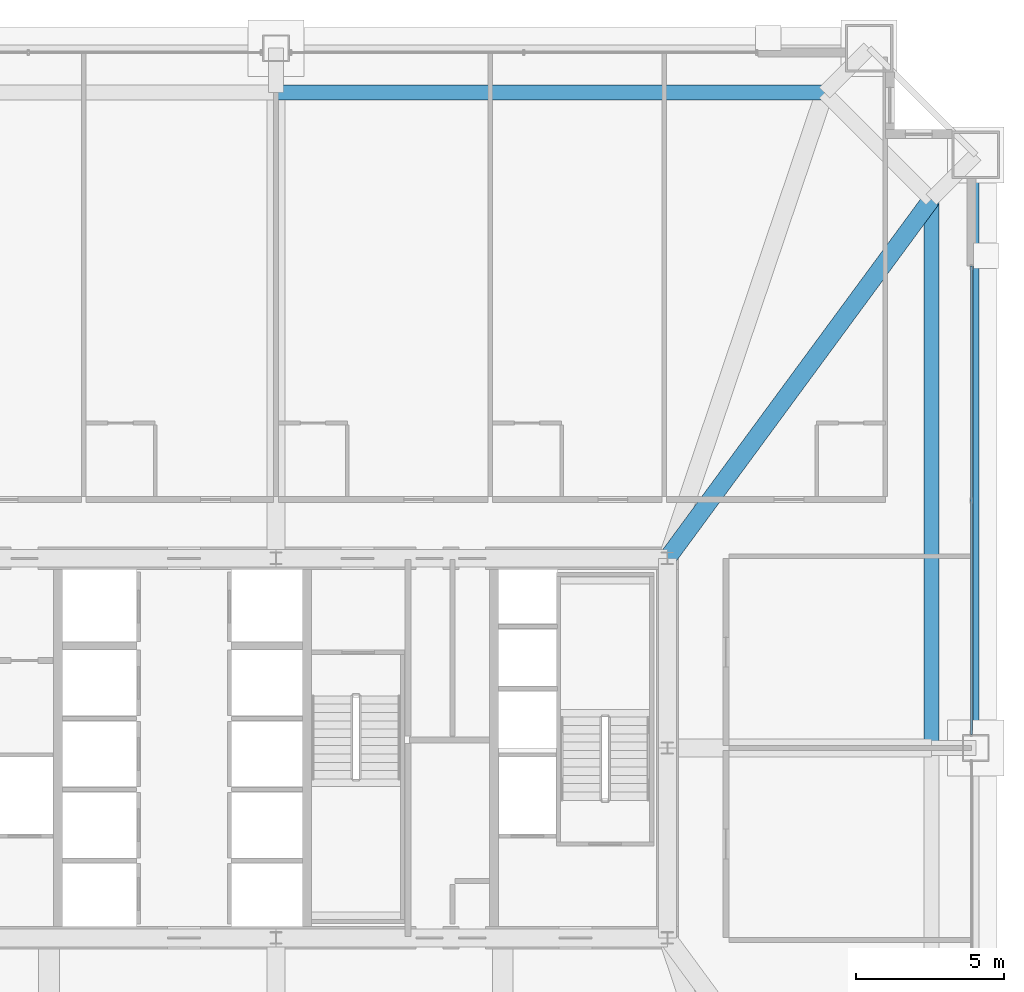
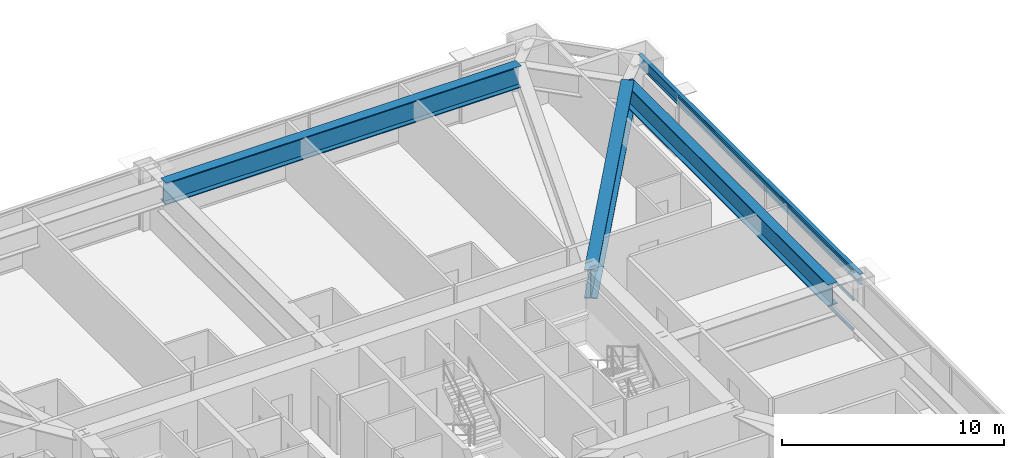
# One storey, part 35 of 45: 4 beams, 3 members, 1 element without a shape of its own.
"""IFC4 building model written with IfcOpenShell, lengths in metres."""

import ifcopenshell
import ifcopenshell.guid

model = None  # the IFC model being written
_history = None  # IfcOwnerHistory: only IFC2X3 demands one
_inside = {}  # id of a spatial element -> (the spatial element, [elements in it])
_under = {}  # id of a project, library or spatial element -> (it, [spatial elements below it])
_declared = {}  # id of a project -> (the project, [libraries it declares])
_typed = {}  # id of a type object -> (the type object, [elements of that type])
_made_of = {}  # id of a material, layer set ... -> (it, [elements and type objects made of it])


def new_model(schema):
    """Start an empty IFC model of exactly this schema.

    Asked for "IFC4X3", IfcOpenShell would pick the latest addendum, in which some entities
    have other attributes; the version numbers below select the first issue.
    IFC2X3 requires an IfcOwnerHistory on every rooted entity: one is made here for all.
    """
    global model, _history
    if schema == "IFC4X3":
        model = ifcopenshell.file(schema_version=(4, 3, 0, 0))
    else:
        model = ifcopenshell.file(schema=schema)
    _inside.clear()
    _under.clear()
    _declared.clear()
    _typed.clear()
    _made_of.clear()
    _history = None
    if model.schema == "IFC2X3":
        org = make("IfcOrganization", Name="unknown")
        user = make(
            "IfcPersonAndOrganization",
            ThePerson=make("IfcPerson", FamilyName="unknown"),
            TheOrganization=org,
        )
        app = make(
            "IfcApplication",
            ApplicationDeveloper=org,
            Version="unknown",
            ApplicationFullName="unknown",
            ApplicationIdentifier="unknown",
        )
        _history = make(
            "IfcOwnerHistory",
            OwningUser=user,
            OwningApplication=app,
            ChangeAction="ADDED",
            CreationDate=0,
        )
    return model


def make(cls, **values):
    """One entity of the class cls with the attributes given. An attribute that is None is left unset."""
    return model.create_entity(
        cls, **{name: value for name, value in values.items() if value is not None}
    )


def rooted(cls, **values):
    """An entity with a GlobalId (a new one), such as an element, a storey or a relation."""
    return make(cls, GlobalId=ifcopenshell.guid.new(), OwnerHistory=_history, **values)


def si_unit(unit_type, name, prefix=None):
    """IfcSIUnit, for example si_unit("LENGTHUNIT", "METRE", prefix="MILLI")."""
    return make("IfcSIUnit", UnitType=unit_type, Prefix=prefix, Name=name)


def assignment(units):
    """IfcUnitAssignment: the units of a project."""
    return None if units is None else make("IfcUnitAssignment", Units=units)


def point(xyz):
    """IfcCartesianPoint."""
    return None if xyz is None else make("IfcCartesianPoint", Coordinates=xyz)


def direction(xyz):
    """IfcDirection."""
    return None if xyz is None else make("IfcDirection", DirectionRatios=xyz)


def frame(location, z_axis=None, x_axis=None):
    """IfcAxis2Placement3D, a coordinate frame: its origin and axes. An axis left out is left unset."""
    return make(
        "IfcAxis2Placement3D",
        Location=point(location),
        Axis=direction(z_axis),
        RefDirection=direction(x_axis),
    )


def frame_2d(location, x_axis=None):
    """IfcAxis2Placement2D, a coordinate frame in the plane: its origin and x axis."""
    return make(
        "IfcAxis2Placement2D", Location=point(location), RefDirection=direction(x_axis)
    )


def origin():
    """The frame at (0, 0, 0) with its axes left unset."""
    return frame((0.0, 0.0, 0.0))


def origin_2d():
    """The frame at (0, 0) in the plane with its x axis left unset."""
    return frame_2d((0.0, 0.0))


def place(relative_to, where):
    """IfcLocalPlacement: puts the frame where relative to a parent placement (None: the world)."""
    return make(
        "IfcLocalPlacement", PlacementRelTo=relative_to, RelativePlacement=where
    )


def context(
    kind, dimensions, precision=None, world=None, true_north=None, identifier=None
):
    """IfcGeometricRepresentationContext, for example the 3D "Model" context."""
    return make(
        "IfcGeometricRepresentationContext",
        ContextIdentifier=identifier,
        ContextType=kind,
        CoordinateSpaceDimension=dimensions,
        Precision=precision,
        WorldCoordinateSystem=world,
        TrueNorth=true_north,
    )


def subcontext(parent, identifier, kind, view, scale=None):
    """IfcGeometricRepresentationSubContext, for example "Body" below "Model"."""
    return make(
        "IfcGeometricRepresentationSubContext",
        ContextIdentifier=identifier,
        ContextType=kind,
        ParentContext=parent,
        TargetScale=scale,
        TargetView=view,
    )


def project(units=None, contexts=None):
    """IfcProject with its units and contexts."""
    return rooted(
        "IfcProject",
        Name="project",
        RepresentationContexts=contexts,
        UnitsInContext=assignment(units),
    )


def spatial(cls, under=None, at=None, **own):
    """A site, building, storey or space (cls), placed at a placement, below another one or the project."""
    s = rooted(cls, ObjectPlacement=at, **own)
    if under is not None:
        _under.setdefault(under.id(), (under, []))[1].append(s)
    return s


def profile(cls, at=None, kind="AREA", **sizes):
    """A parametric profile (cls). Its sizes go by their IFC names, for example OverallWidth=200.0."""
    return make(cls, ProfileType=kind, Position=at, **sizes)


def hollow_rectangle(**sizes):
    """IfcRectangleHollowProfileDef."""
    return profile("IfcRectangleHollowProfileDef", **sizes)


def i_section(**sizes):
    """IfcIShapeProfileDef."""
    return profile("IfcIShapeProfileDef", **sizes)


def extrude(swept, where, along, depth):
    """IfcExtrudedAreaSolid: the profile swept, set in the frame where, extruded along a direction by depth."""
    return make(
        "IfcExtrudedAreaSolid",
        SweptArea=swept,
        Position=where,
        ExtrudedDirection=direction(along),
        Depth=depth,
    )


def shape(context_of_items, identifier, shape_type, items):
    """IfcShapeRepresentation: the items that make up one representation, for example the "Body"."""
    return make(
        "IfcShapeRepresentation",
        ContextOfItems=context_of_items,
        RepresentationIdentifier=identifier,
        RepresentationType=shape_type,
        Items=items,
    )


def source(mapping_origin, context_of_items, identifier, shape_type, items):
    """IfcRepresentationMap: a shape defined once, which mapped items show again and again."""
    return make(
        "IfcRepresentationMap",
        MappingOrigin=mapping_origin,
        MappedRepresentation=shape(context_of_items, identifier, shape_type, items),
    )


def transform(
    local_origin,
    x_axis=None,
    y_axis=None,
    z_axis=None,
    scale=None,
    scale2=None,
    scale3=None,
    uniform=True,
):
    """IfcCartesianTransformationOperator3D, or its non-uniform kind. x_axis, y_axis, z_axis: its Axis1, 2, 3."""
    if uniform:
        return make(
            "IfcCartesianTransformationOperator3D",
            Axis1=direction(x_axis),
            Axis2=direction(y_axis),
            LocalOrigin=point(local_origin),
            Scale=scale,
            Axis3=direction(z_axis),
        )
    return make(
        "IfcCartesianTransformationOperator3DnonUniform",
        Axis1=direction(x_axis),
        Axis2=direction(y_axis),
        LocalOrigin=point(local_origin),
        Scale=scale,
        Axis3=direction(z_axis),
        Scale2=scale2,
        Scale3=scale3,
    )


def mapped(mapping_source, mapping_target):
    """IfcMappedItem: shows the shape of a source again, moved by a transform."""
    return make(
        "IfcMappedItem", MappingSource=mapping_source, MappingTarget=mapping_target
    )


def material(Name=None, Category=None):
    """IfcMaterial."""
    return make("IfcMaterial", Name=Name, Category=Category)


def layer(
    of_material, thickness, ventilated=None, Name=None, Category=None, Priority=None
):
    """IfcMaterialLayer: one layer of a wall or slab, of a material (None: an air gap)."""
    return make(
        "IfcMaterialLayer",
        Material=of_material,
        LayerThickness=thickness,
        IsVentilated=ventilated,
        Name=Name,
        Category=Category,
        Priority=Priority,
    )


def layer_set(layers, Name=None):
    """IfcMaterialLayerSet."""
    return make("IfcMaterialLayerSet", MaterialLayers=layers, LayerSetName=Name)


def material_profile(
    of_material, cross_section, Name=None, Category=None, Priority=None
):
    """IfcMaterialProfile: a cross section and its material."""
    return make(
        "IfcMaterialProfile",
        Name=Name,
        Material=of_material,
        Profile=cross_section,
        Priority=Priority,
        Category=Category,
    )


def profile_set(profiles, Name=None, composite=None):
    """IfcMaterialProfileSet."""
    return make(
        "IfcMaterialProfileSet",
        Name=Name,
        MaterialProfiles=profiles,
        CompositeProfile=composite,
    )


def made_of(thing, what):
    """Note that an element or type object is made of a material, layer set ...; save() writes the relation."""
    if what is not None:
        _made_of.setdefault(what.id(), (what, []))[1].append(thing)
    return thing


def type_object(cls, material=None, **own):
    """A type object (cls), such as IfcWallType, which elements share."""
    return made_of(rooted(cls, **own), material)


def element(
    cls,
    number,
    at=None,
    inside=None,
    cuts=None,
    type_object=None,
    material=None,
    context=None,
    identifier="Body",
    shape_type=None,
    held_by="IfcProductDefinitionShape",
    body=None,
    shapes=None,
    **own,
):
    """One element of the class cls, such as IfcWall. Its Tag is "e" and its number.

    at: its placement. inside: the storey or other place that contains it. cuts: it is an
    opening in that element (IfcRelVoidsElement). A single representation is given by context,
    identifier, shape_type and body (its items); several are given by shapes. held_by: the class
    of the entity that holds the representations. save() writes the other relations.
    """
    e = rooted(cls, Tag="e%d" % number, ObjectPlacement=at, **own)
    if body is not None:
        shapes = [shape(context, identifier, shape_type, body)]
    if shapes is not None:
        e.Representation = make(held_by, Representations=shapes)
    if inside is not None:
        _inside.setdefault(inside.id(), (inside, []))[1].append(e)
    if cuts is not None:
        rooted(
            "IfcRelVoidsElement", RelatingBuildingElement=cuts, RelatedOpeningElement=e
        )
    if type_object is not None:
        _typed.setdefault(type_object.id(), (type_object, []))[1].append(e)
    return made_of(e, material)


def aggregate(whole, parts):
    """IfcRelAggregates: a whole, such as a stair, and the parts it consists of."""
    return rooted("IfcRelAggregates", RelatingObject=whole, RelatedObjects=parts)


def save(model, path):
    """Write the relations noted so far, then the file.

    IfcRelAggregates (storeys below a building ...), IfcRelContainedInSpatialStructure (elements
    in a storey), IfcRelDefinesByType, IfcRelAssociatesMaterial and IfcRelDeclares: one each for
    every whole, place, type object, material and project.
    """
    for whole, parts in _under.values():
        aggregate(whole, parts)
    for where, things in _inside.values():
        rooted(
            "IfcRelContainedInSpatialStructure",
            RelatedElements=things,
            RelatingStructure=where,
        )
    for kind, things in _typed.values():
        rooted("IfcRelDefinesByType", RelatedObjects=things, RelatingType=kind)
    for what, things in _made_of.values():
        rooted("IfcRelAssociatesMaterial", RelatedObjects=things, RelatingMaterial=what)
    for by, libraries in _declared.values():
        rooted("IfcRelDeclares", RelatingContext=by, RelatedDefinitions=libraries)
    model.write(path)


model = new_model("IFC4")

# Units and contexts
model_context = context("Model", 3, precision=1e-05, world=origin(), true_north=direction((0.0, 1.0)))
body_context = subcontext(model_context, "Body", "Model", "MODEL_VIEW")
ifc_project = project(units=[si_unit("LENGTHUNIT", "METRE"), si_unit("AREAUNIT", "SQUARE_METRE"), si_unit("VOLUMEUNIT", "CUBIC_METRE"), si_unit("PLANEANGLEUNIT", "RADIAN"), si_unit("MASSUNIT", "GRAM", prefix="KILO"), si_unit("THERMODYNAMICTEMPERATUREUNIT", "KELVIN"), si_unit("POWERUNIT", "WATT")], contexts=[model_context])

# Site, building, storey
site_placement = place(None, origin())
site = spatial("IfcSite", under=ifc_project, at=site_placement, CompositionType="ELEMENT")
building_placement = place(site_placement, origin())
building = spatial("IfcBuilding", under=site, at=building_placement, Name="Yuzanri Waterfront Tower", CompositionType="ELEMENT")
storey_placement = place(building_placement, frame((0.0, 0.0, 163.199951171875)))
storey = spatial("IfcBuildingStorey", under=building, at=storey_placement, Name="L43", CompositionType="ELEMENT", Elevation=163.199951171875)

# Beams
ifc_material_1 = material(Name="Steel Q355B", Category="steel")
ifc_material_profile_1 = material_profile(ifc_material_1, i_section(OverallWidth=0.199951171875, OverallDepth=0.60009765625, WebThickness=0.010986328125, FlangeThickness=0.01708984375, at=origin_2d()), Name="HN 600x200x11x17")
ifc_profile_set_1 = profile_set([ifc_material_profile_1], Name="Steel Q355B")
beam_type_1 = type_object("IfcBeamType", Name="Perimeter Spandrel Q355B HN 600x200", PredefinedType="SPANDREL", material=ifc_profile_set_1)
shared_shape_1 = source(origin(), body_context, "Body", "SweptSolid", [
    extrude(i_section(OverallWidth=0.199951171875, OverallDepth=0.60009765625, WebThickness=0.010986328125, FlangeThickness=0.01708984375, at=origin_2d()), origin(), (0.0, 0.0, 1.0), 20.0),
])
beam_1_placement = place(storey_placement, frame((60.60009765625, 25.800048828125, 3.0), z_axis=(0.0, 1.0, 0.0), x_axis=(-1.0, 0.0, 0.0)))
element("IfcBeam", 1, at=beam_1_placement, inside=storey, type_object=beam_type_1, Name="L43 Perimeter Spandrel E2-E3", PredefinedType="SPANDREL", context=body_context, shape_type="MappedRepresentation", body=[
    mapped(shared_shape_1, transform((0.0, 0.0, 0.0), scale=1.0)),
])
ifc_material_2 = material(Name="Steel Q420GJC", Category="steel")
ifc_material_profile_2 = material_profile(ifc_material_2, i_section(OverallWidth=0.60009765625, OverallDepth=1.60009765625, WebThickness=0.031982421875, FlangeThickness=0.06005859375, at=origin_2d()), Name="PG 1600x600x32x60")
ifc_profile_set_2 = profile_set([ifc_material_profile_2], Name="Steel Q420GJC")
beam_type_2 = type_object("IfcBeamType", Name="Ballroom Transfer Girder Q420GJC PG 1600x600", PredefinedType="USERDEFINED", material=ifc_profile_set_2)
shared_shape_2 = source(origin(), body_context, "Body", "SweptSolid", [
    extrude(i_section(OverallWidth=0.60009765625, OverallDepth=1.60009765625, WebThickness=0.031982421875, FlangeThickness=0.06005859375, at=origin_2d()), origin(), (0.0, 0.0, 1.0), 15.020751953125),
])
beam_2_placement = place(storey_placement, frame((50.199951171875, 32.199951171875, 2.5), z_axis=(0.592520762634, 0.805555178649, 0.0), x_axis=(-0.805555178649, 0.592520762634, 0.0)))
element("IfcBeam", 2, at=beam_2_placement, inside=storey, type_object=beam_type_2, Name="L43 Setback Inner Transfer E3", ObjectType="GIRDER", PredefinedType="USERDEFINED", context=body_context, shape_type="MappedRepresentation", body=[
    mapped(shared_shape_2, transform((0.0, 0.0, 0.0), scale=1.0)),
])
ifc_material_3 = material(Name="Steel Q420GJC", Category="steel")
ifc_material_profile_3 = material_profile(ifc_material_3, i_section(OverallWidth=0.5, OverallDepth=1.199951171875, WebThickness=0.028076171875, FlangeThickness=0.050048828125, at=origin_2d()), Name="PG 1200x500x28x50")
ifc_profile_set_3 = profile_set([ifc_material_profile_3], Name="Steel Q420GJC")
beam_type_3 = type_object("IfcBeamType", Name="Setback Transfer Girder Q420GJC PG 1200x500", PredefinedType="USERDEFINED", material=ifc_profile_set_3)
shared_shape_3 = source(origin(), body_context, "Body", "SweptSolid", [
    extrude(i_section(OverallWidth=0.5, OverallDepth=1.199951171875, WebThickness=0.028076171875, FlangeThickness=0.050048828125, at=origin_2d()), origin(), (0.0, 0.0, 1.0), 18.5),
])
for number, where, z_axis, x_axis, name in (
    (3, (59.10009765625, 25.800048828125, 2.699951171875), (0.0, 1.0, 0.0), (-1.0, 0.0, 0.0), "L43 Setback Upper Ring E2-E3"),
    (4, (55.5, 47.89990234375, 2.699951171875), (-1.0, 0.0, 0.0), (0.0, -1.0, 0.0), "L43 Setback Upper Ring N3-N2"),
):
    element("IfcBeam", number, at=place(storey_placement, frame(where, z_axis=z_axis, x_axis=x_axis)), inside=storey, type_object=beam_type_3, Name=name, ObjectType="GIRDER", PredefinedType="USERDEFINED", context=body_context, shape_type="MappedRepresentation", body=[
        mapped(shared_shape_3, transform((0.0, 0.0, 0.0), scale=1.0)),
    ])

# Curtain wall, members
ifc_material_4 = material(Name="Anodized Architectural Bronze", Category="metal")
ifc_layer = layer(ifc_material_4, 0.159912109375)
ifc_layer_set = layer_set([ifc_layer], Name="Anodized Architectural Bronze")
curtain_wall_type = type_object("IfcCurtainWallType", Name="Anodized Bronze Hotel Upper-Tier Solar-Control Unitized Curtain Wall 7800", PredefinedType="NOTDEFINED", material=ifc_layer_set)
curtain_wall_placement = place(storey_placement, origin())
curtain_wall = element("IfcCurtainWall", 5, at=curtain_wall_placement, inside=storey, type_object=curtain_wall_type, Name="L43 Curtain Wall CW-L43-ER", PredefinedType="NOTDEFINED")
ifc_material_5 = material(Name="Anodized Architectural Bronze", Category="metal")
ifc_material_profile_4 = material_profile(ifc_material_5, hollow_rectangle(XDim=0.070068359375, YDim=0.135009765625, WallThickness=0.00341796875, at=origin_2d()), Name="CWT 70x135")
ifc_profile_set_4 = profile_set([ifc_material_profile_4], Name="Anodized Architectural Bronze")
member_type = type_object("IfcMemberType", Name="Anodized Bronze Standard Curtain-Wall Transom 70x135", PredefinedType="USERDEFINED", material=ifc_profile_set_4)
shared_shape_4 = source(origin(), body_context, "Body", "SweptSolid", [
    extrude(hollow_rectangle(XDim=0.070068359375, YDim=0.135009765625, WallThickness=0.00341796875, at=origin_2d()), origin(), (0.0, 0.0, 1.0), 15.800048828125),
])
member_1_placement = place(storey_placement, frame((60.449951171875, 26.25, 0.050048828125), z_axis=(0.0, 1.0, 0.0), x_axis=(-1.0, 0.0, 0.0)))
member_1 = element("IfcMember", 6, at=member_1_placement, type_object=member_type, Name="CW-L43-ER Transom 1", ObjectType="TRANSOM", PredefinedType="USERDEFINED", context=body_context, shape_type="MappedRepresentation", body=[
    mapped(shared_shape_4, transform((0.0, 0.0, 0.0), scale=1.0)),
])
member_2_placement = place(storey_placement, frame((60.449951171875, 26.25, 1.650146484375), z_axis=(0.0, 1.0, 0.0), x_axis=(-1.0, 0.0, 0.0)))
member_2 = element("IfcMember", 7, at=member_2_placement, type_object=member_type, Name="CW-L43-ER Transom 2", ObjectType="TRANSOM", PredefinedType="USERDEFINED", context=body_context, shape_type="MappedRepresentation", body=[
    mapped(shared_shape_4, transform((0.0, 0.0, 0.0), scale=1.0)),
])
member_3_placement = place(storey_placement, frame((60.449951171875, 26.25, 3.25), z_axis=(0.0, 1.0, 0.0), x_axis=(-1.0, 0.0, 0.0)))
member_3 = element("IfcMember", 8, at=member_3_placement, type_object=member_type, Name="CW-L43-ER Transom 3", ObjectType="TRANSOM", PredefinedType="USERDEFINED", context=body_context, shape_type="MappedRepresentation", body=[
    mapped(shared_shape_4, transform((0.0, 0.0, 0.0), scale=1.0)),
])
aggregate(curtain_wall, [member_1, member_2, member_3])

save(model, "model.ifc")
